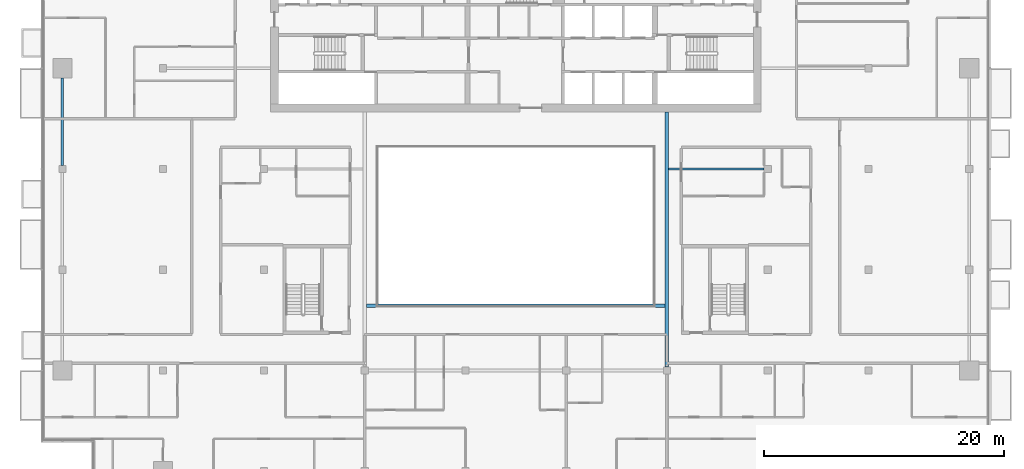
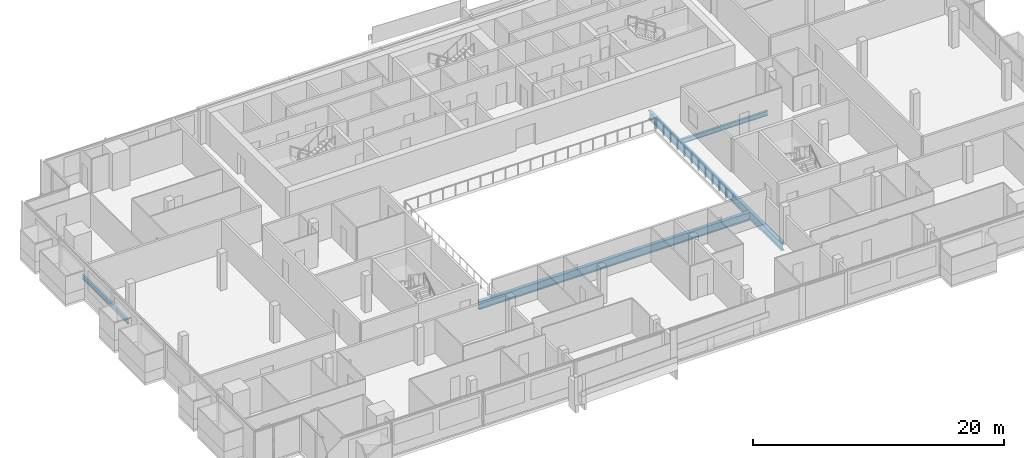
# One storey, part 7 of 27: 4 beams.
"""IFC4 building model written with IfcOpenShell, lengths in metres."""

from ifc_helpers import new_model, si_unit, direction, frame, origin, origin_2d, place, context, subcontext, project, spatial, i_section, extrude, material, material_profile, profile_set, type_object, element, save


model = new_model("IFC4")

# Units and contexts
model_context = context("Model", 3, precision=1e-05, world=origin(), true_north=direction((0.0, 1.0)))
body_context = subcontext(model_context, "Body", "Model", "MODEL_VIEW")
ifc_project = project(units=[si_unit("LENGTHUNIT", "METRE"), si_unit("AREAUNIT", "SQUARE_METRE"), si_unit("VOLUMEUNIT", "CUBIC_METRE"), si_unit("PLANEANGLEUNIT", "RADIAN"), si_unit("MASSUNIT", "GRAM", prefix="KILO")], contexts=[model_context])

# Site, building, storey
site_placement = place(None, origin())
site = spatial("IfcSite", under=ifc_project, at=site_placement, CompositionType="ELEMENT")
building_placement = place(site_placement, origin())
building = spatial("IfcBuilding", under=site, at=building_placement, Name="Saffron Gate Tower", CompositionType="ELEMENT")
storey_placement = place(building_placement, frame((0.0, 0.0, 209.10009765625)))
storey = spatial("IfcBuildingStorey", under=building, at=storey_placement, Name="L50", CompositionType="ELEMENT", Elevation=209.10009765625)

# Beams
ifc_material = material(Name="Structural steel S355", Category="steel")
ifc_material_profile_1 = material_profile(ifc_material, i_section(OverallWidth=0.300048828125, OverallDepth=0.7900390625, WebThickness=0.014892578125, FlangeThickness=0.028076171875, FilletRadius=0.030029296875, at=origin_2d()))
ifc_profile_set_1 = profile_set([ifc_material_profile_1], Name="Structural steel S355")
beam_type_1 = type_object("IfcBeamType", Name="B18 HEA 800", PredefinedType="BEAM", material=ifc_profile_set_1)
beam_1_placement = place(storey_placement, frame((100.199951171875, 40.5, -0.675048828125), z_axis=(0.0, 1.0, 0.0), x_axis=(-1.0, 0.0, 0.0)))
element("IfcBeam", 1, at=beam_1_placement, inside=storey, type_object=beam_type_1, Name="B18 ATRIUM GIRDER", PredefinedType="BEAM", context=body_context, shape_type="SweptSolid", body=[
    extrude(i_section(OverallWidth=0.300048828125, OverallDepth=0.7900390625, WebThickness=0.014892578125, FlangeThickness=0.028076171875, FilletRadius=0.030029296875, at=origin_2d()), origin(), (0.0, 0.0, 1.0), 21.25),
])
beam_2_placement = place(storey_placement, frame((75.14990234375, 45.60009765625, -0.675048828125), z_axis=(1.0, 0.0, 0.0), x_axis=(0.0, 1.0, 0.0)))
element("IfcBeam", 2, at=beam_2_placement, inside=storey, type_object=beam_type_1, Name="B18 ATRIUM GIRDER", PredefinedType="BEAM", context=body_context, shape_type="SweptSolid", body=[
    extrude(i_section(OverallWidth=0.300048828125, OverallDepth=0.7900390625, WebThickness=0.014892578125, FlangeThickness=0.028076171875, FilletRadius=0.030029296875, at=origin_2d()), origin(), (0.0, 0.0, 1.0), 24.900146484375),
])
ifc_material_profile_2 = material_profile(ifc_material, i_section(OverallWidth=0.18994140625, OverallDepth=0.449951171875, WebThickness=0.009521484375, FlangeThickness=0.0146484375, FilletRadius=0.02099609375, at=origin_2d()))
ifc_profile_set_2 = profile_set([ifc_material_profile_2], Name="Structural steel S355")
beam_type_2 = type_object("IfcBeamType", Name="B6 IPE 450", PredefinedType="BEAM", material=ifc_profile_set_2)
beam_3_placement = place(storey_placement, frame((108.300048828125, 57.0, -0.505126953125), z_axis=(-1.0, 0.0, 0.0), x_axis=(0.0, -1.0, 0.0)))
element("IfcBeam", 3, at=beam_3_placement, inside=storey, type_object=beam_type_2, Name="B6 CORE TIE BEAM", PredefinedType="BEAM", context=body_context, shape_type="SweptSolid", body=[
    extrude(i_section(OverallWidth=0.18994140625, OverallDepth=0.449951171875, WebThickness=0.009521484375, FlangeThickness=0.0146484375, FilletRadius=0.02099609375, at=origin_2d()), origin(), (0.0, 0.0, 1.0), 7.949951171875),
])
ifc_material_profile_3 = material_profile(ifc_material, i_section(OverallWidth=0.18994140625, OverallDepth=0.449951171875, WebThickness=0.009521484375, FlangeThickness=0.0146484375, FilletRadius=0.02099609375, at=origin_2d()))
ifc_profile_set_3 = profile_set([ifc_material_profile_3], Name="Structural steel S355")
beam_type_3 = type_object("IfcBeamType", Name="B7 IPE 450", PredefinedType="SPANDREL", material=ifc_profile_set_3)
beam_4_placement = place(storey_placement, frame((49.800048828125, 57.300048828125, -0.505126953125), z_axis=(0.0, 1.0, 0.0), x_axis=(-1.0, 0.0, 0.0)))
element("IfcBeam", 4, at=beam_4_placement, inside=storey, type_object=beam_type_3, Name="B7 SPANDREL BEAM", PredefinedType="SPANDREL", context=body_context, shape_type="SweptSolid", body=[
    extrude(i_section(OverallWidth=0.18994140625, OverallDepth=0.449951171875, WebThickness=0.009521484375, FlangeThickness=0.0146484375, FilletRadius=0.02099609375, at=origin_2d()), origin(), (0.0, 0.0, 1.0), 7.300048828125),
])

save(model, "model.ifc")
